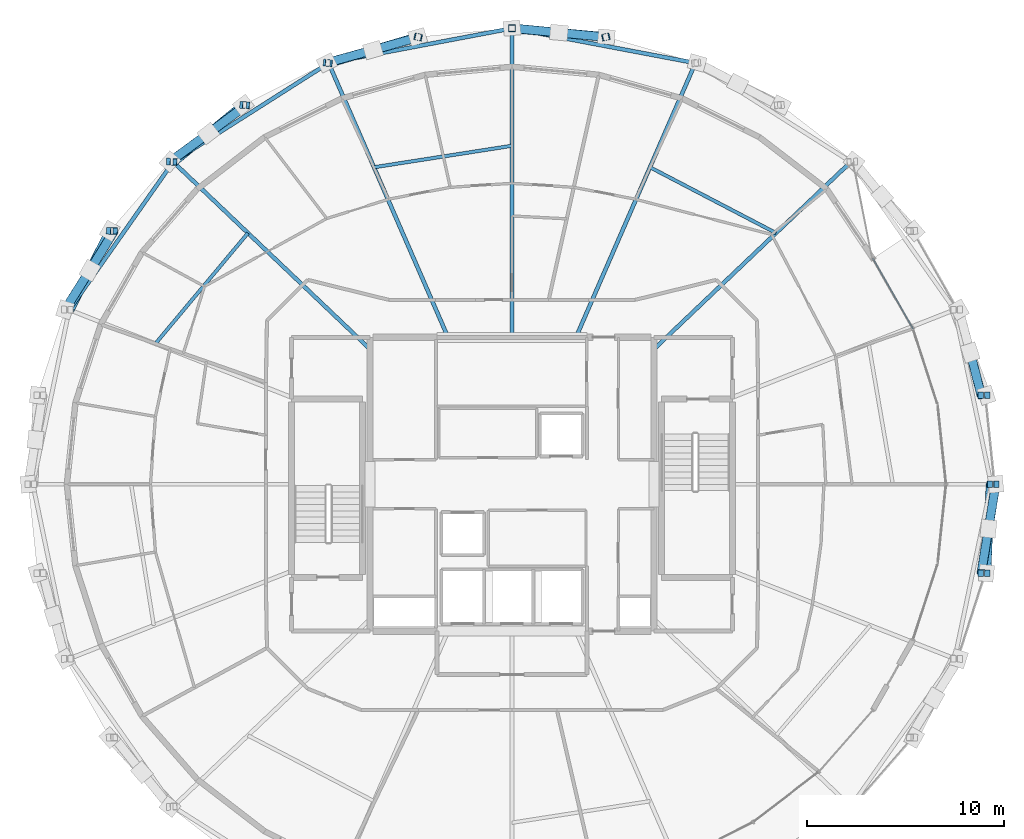
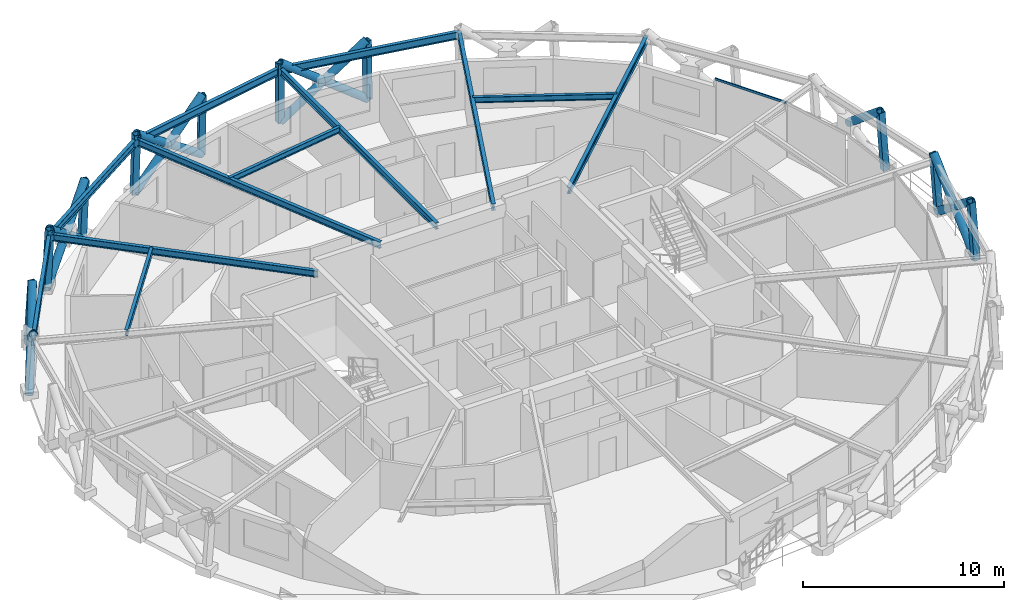
# One storey, part 8 of 17: 27 members, 12 beams, 1 element without a shape of its own.
"""IFC4 building model written with IfcOpenShell, lengths in metres."""

from ifc_helpers import new_model, si_unit, direction, frame, origin, origin_2d, place, context, subcontext, project, spatial, hollow_rectangle, hollow_circle, i_section, extrude, material, layer, layer_set, material_profile, profile_set, type_object, element, aggregate, save


model = new_model("IFC4")

# Units and contexts
model_context = context("Model", 3, precision=1e-05, world=origin(), true_north=direction((0.0, 1.0)))
body_context = subcontext(model_context, "Body", "Model", "MODEL_VIEW")
ifc_project = project(units=[si_unit("LENGTHUNIT", "METRE"), si_unit("AREAUNIT", "SQUARE_METRE"), si_unit("VOLUMEUNIT", "CUBIC_METRE"), si_unit("PLANEANGLEUNIT", "RADIAN"), si_unit("MASSUNIT", "GRAM", prefix="KILO")], contexts=[model_context])

# Site, building, storey
site_placement = place(None, origin())
site = spatial("IfcSite", under=ifc_project, at=site_placement, CompositionType="ELEMENT")
building_placement = place(site_placement, origin())
building = spatial("IfcBuilding", under=site, at=building_placement, Name="Veldorina Hangang Commons", CompositionType="ELEMENT")
storey_placement = place(building_placement, frame((0.0, 0.0, 229.199951171875)))
storey = spatial("IfcBuildingStorey", under=building, at=storey_placement, Name="L59", CompositionType="ELEMENT", Elevation=229.199951171875)

# Beams
ifc_material_1 = material(Name="Steel SM355-TMC", Category="steel")
ifc_material_profile_1 = material_profile(ifc_material_1, i_section(OverallWidth=0.199951171875, OverallDepth=0.39990234375, WebThickness=0.008056640625, FlangeThickness=0.012939453125, FilletRadius=0.012939453125, at=origin_2d()), Name="H-400x200x8x13")
ifc_profile_set_1 = profile_set([ifc_material_profile_1], Name="Steel SM355-TMC")
beam_type_1 = type_object("IfcBeamType", Name="BM-FG400", PredefinedType="BEAM", material=ifc_profile_set_1)
beam_1_placement = place(storey_placement, frame((39.199951171875, 30.85009765625, 3.16015625), z_axis=(0.724490081705, 0.689285225078, 0.0), x_axis=(-0.689285225078, 0.724490081705, 0.0)))
element("IfcBeam", 1, at=beam_1_placement, inside=storey, type_object=beam_type_1, Name="L59 radial floor girder 03", PredefinedType="BEAM", context=body_context, shape_type="SweptSolid", body=[
    extrude(i_section(OverallWidth=0.199951171875, OverallDepth=0.39990234375, WebThickness=0.008056640625, FlangeThickness=0.012939453125, FilletRadius=0.012939453125, at=origin_2d()), origin(), (0.0, 0.0, 1.0), 13.779541015625),
])
beam_2_placement = place(storey_placement, frame((35.243408203125, 31.449951171875, 3.16015625), z_axis=(0.399189748652, 0.916868335461, 0.0), x_axis=(-0.916868335461, 0.399189748652, 0.0)))
element("IfcBeam", 2, at=beam_2_placement, inside=storey, type_object=beam_type_1, Name="L59 radial floor girder 04", PredefinedType="BEAM", context=body_context, shape_type="SweptSolid", body=[
    extrude(i_section(OverallWidth=0.199951171875, OverallDepth=0.39990234375, WebThickness=0.008056640625, FlangeThickness=0.012939453125, FilletRadius=0.012939453125, at=origin_2d()), origin(), (0.0, 0.0, 1.0), 15.171142578125),
])
beam_3_placement = place(storey_placement, frame((32.0, 31.449951171875, 3.16015625), z_axis=(0.0, 1.0, 0.0), x_axis=(-1.0, 0.0, 0.0)))
element("IfcBeam", 3, at=beam_3_placement, inside=storey, type_object=beam_type_1, Name="L59 radial floor girder 05", PredefinedType="BEAM", context=body_context, shape_type="SweptSolid", body=[
    extrude(i_section(OverallWidth=0.199951171875, OverallDepth=0.39990234375, WebThickness=0.008056640625, FlangeThickness=0.012939453125, FilletRadius=0.012939453125, at=origin_2d()), origin(), (0.0, 0.0, 1.0), 15.669921875),
])
beam_4_placement = place(storey_placement, frame((28.756591796875, 31.449951171875, 3.16015625), z_axis=(-0.399189748652, 0.916868335461, 0.0), x_axis=(-0.916868335461, -0.399189748652, 0.0)))
element("IfcBeam", 4, at=beam_4_placement, inside=storey, type_object=beam_type_1, Name="L59 radial floor girder 06", PredefinedType="BEAM", context=body_context, shape_type="SweptSolid", body=[
    extrude(i_section(OverallWidth=0.199951171875, OverallDepth=0.39990234375, WebThickness=0.008056640625, FlangeThickness=0.012939453125, FilletRadius=0.012939453125, at=origin_2d()), origin(), (0.0, 0.0, 1.0), 15.171142578125),
])
beam_5_placement = place(storey_placement, frame((24.800048828125, 30.85009765625, 3.16015625), z_axis=(-0.724490081705, 0.689285225078, 0.0), x_axis=(-0.689285225078, -0.724490081705, 0.0)))
element("IfcBeam", 5, at=beam_5_placement, inside=storey, type_object=beam_type_1, Name="L59 radial floor girder 07", PredefinedType="BEAM", context=body_context, shape_type="SweptSolid", body=[
    extrude(i_section(OverallWidth=0.199951171875, OverallDepth=0.39990234375, WebThickness=0.008056640625, FlangeThickness=0.012939453125, FilletRadius=0.012939453125, at=origin_2d()), origin(), (0.0, 0.0, 1.0), 13.779541015625),
])
ifc_material_profile_2 = material_profile(ifc_material_1, i_section(OverallWidth=0.175048828125, OverallDepth=0.35009765625, WebThickness=0.007080078125, FlangeThickness=0.010986328125, FilletRadius=0.012939453125, at=origin_2d()), Name="H-350x175x7x11")
ifc_profile_set_2 = profile_set([ifc_material_profile_2], Name="Steel SM355-TMC")
beam_type_2 = type_object("IfcBeamType", Name="BM-JST350", PredefinedType="JOIST", material=ifc_profile_set_2)
beam_6_placement = place(storey_placement, frame((45.389404296875, 36.739013671875, 3.18505859375), z_axis=(-0.886544384719, 0.462643549532, 0.0), x_axis=(-0.462643549532, -0.886544384719, 0.0)))
element("IfcBeam", 6, at=beam_6_placement, inside=storey, type_object=beam_type_2, Name="L59 secondary floor joist 03", PredefinedType="JOIST", context=body_context, shape_type="SweptSolid", body=[
    extrude(i_section(OverallWidth=0.175048828125, OverallDepth=0.35009765625, WebThickness=0.007080078125, FlangeThickness=0.010986328125, FilletRadius=0.012939453125, at=origin_2d()), origin(), (0.0, 0.0, 1.0), 7.208984375),
])
beam_7_placement = place(storey_placement, frame((32.0, 41.165283203125, 3.18505859375), z_axis=(-0.988064059438, -0.15404354724, 0.0), x_axis=(0.15404354724, -0.988064059438, 0.0)))
element("IfcBeam", 7, at=beam_7_placement, inside=storey, type_object=beam_type_2, Name="L59 secondary floor joist 05", PredefinedType="JOIST", context=body_context, shape_type="SweptSolid", body=[
    extrude(i_section(OverallWidth=0.175048828125, OverallDepth=0.35009765625, WebThickness=0.007080078125, FlangeThickness=0.010986328125, FilletRadius=0.012939453125, at=origin_2d()), origin(), (0.0, 0.0, 1.0), 7.082763671875),
])
beam_8_placement = place(storey_placement, frame((18.610595703125, 36.739013671875, 3.18505859375), z_axis=(-0.641738652871, -0.766923399963, 0.0), x_axis=(0.766923399963, -0.641738652871, 0.0)))
element("IfcBeam", 8, at=beam_8_placement, inside=storey, type_object=beam_type_2, Name="L59 secondary floor joist 07", PredefinedType="JOIST", context=body_context, shape_type="SweptSolid", body=[
    extrude(i_section(OverallWidth=0.175048828125, OverallDepth=0.35009765625, WebThickness=0.007080078125, FlangeThickness=0.010986328125, FilletRadius=0.012939453125, at=origin_2d()), origin(), (0.0, 0.0, 1.0), 7.3173828125),
])
ifc_material_profile_3 = material_profile(ifc_material_1, i_section(OverallWidth=0.199951171875, OverallDepth=0.449951171875, WebThickness=0.009033203125, FlangeThickness=0.013916015625, FilletRadius=0.01611328125, at=origin_2d()), Name="H-450x200x9x14")
ifc_profile_set_3 = profile_set([ifc_material_profile_3], Name="Steel SM355-TMC")
beam_type_3 = type_object("IfcBeamType", Name="BM-RB450", PredefinedType="BEAM", material=ifc_profile_set_3)
for number, where, z_axis, x_axis, name in (
    (9, (41.299560546875, 45.35986328125, 3.135009765625), (-0.982558019135, 0.185956282585, 0.0), (-0.185956282585, -0.982558019135, 0.0), "L59 perimeter hoop ring beam 06"),
    (10, (32.0, 47.119873046875, 3.135009765625), (-0.982558019135, -0.185956282585, 0.0), (0.185956282585, -0.982558019135, 0.0), "L59 perimeter hoop ring beam 08"),
):
    element("IfcBeam", number, at=place(storey_placement, frame(where, z_axis=z_axis, x_axis=x_axis)), inside=storey, type_object=beam_type_3, Name=name, PredefinedType="BEAM", context=body_context, shape_type="SweptSolid", body=[
        extrude(i_section(OverallWidth=0.199951171875, OverallDepth=0.449951171875, WebThickness=0.009033203125, FlangeThickness=0.013916015625, FilletRadius=0.01611328125, at=origin_2d()), origin(), (0.0, 0.0, 1.0), 9.464599609375),
    ])
beam_9_placement = place(storey_placement, frame((22.700439453125, 45.35986328125, 3.135009765625), z_axis=(-0.843907831435, -0.536488184439, 0.0), x_axis=(0.536488184439, -0.843907831435, 0.0)))
element("IfcBeam", 11, at=beam_9_placement, inside=storey, type_object=beam_type_3, Name="L59 perimeter hoop ring beam 10", PredefinedType="BEAM", context=body_context, shape_type="SweptSolid", body=[
    extrude(i_section(OverallWidth=0.199951171875, OverallDepth=0.449951171875, WebThickness=0.009033203125, FlangeThickness=0.013916015625, FilletRadius=0.01611328125, at=origin_2d()), origin(), (0.0, 0.0, 1.0), 9.341796875),
])
beam_10_placement = place(storey_placement, frame((14.81689453125, 40.34814453125, 3.135009765625), z_axis=(-0.574723801325, -0.818347451998, 0.0), x_axis=(0.818347451998, -0.574723801325, 0.0)))
element("IfcBeam", 12, at=beam_10_placement, inside=storey, type_object=beam_type_3, Name="L59 perimeter hoop ring beam 12", PredefinedType="BEAM", context=body_context, shape_type="SweptSolid", body=[
    extrude(i_section(OverallWidth=0.199951171875, OverallDepth=0.449951171875, WebThickness=0.009033203125, FlangeThickness=0.013916015625, FilletRadius=0.01611328125, at=origin_2d()), origin(), (0.0, 0.0, 1.0), 9.16552734375),
])

# Curtain wall, member
ifc_material_2 = material(Name="Glass Low-E Selective", Category="glass")
ifc_layer = layer(ifc_material_2, 0.179931640625)
ifc_layer_set = layer_set([ifc_layer], Name="Glass Low-E Selective")
curtain_wall_type = type_object("IfcCurtainWallType", Name="CW-SYS-Z3", PredefinedType="NOTDEFINED", material=ifc_layer_set)
curtain_wall_placement = place(storey_placement, origin())
curtain_wall = element("IfcCurtainWall", 13, at=curtain_wall_placement, inside=storey, type_object=curtain_wall_type, Name="L59 unitised curtain wall CW-L59-R2", PredefinedType="NOTDEFINED")
ifc_material_3 = material(Name="Aluminium Anodized AA6063-T6", Category="aluminium")
ifc_material_profile_4 = material_profile(ifc_material_3, hollow_rectangle(XDim=0.06005859375, YDim=0.139892578125, WallThickness=0.00341796875, at=origin_2d()), Name="ALU-RHS-140x60x3.5")
ifc_profile_set_4 = profile_set([ifc_material_profile_4], Name="Aluminium Anodized AA6063-T6")
member_type_1 = type_object("IfcMemberType", Name="CW-TRN-140", PredefinedType="USERDEFINED", material=ifc_profile_set_4)
member_1_placement = place(storey_placement, frame((52.33837890625, 31.88720703125, 3.280029296875), z_axis=(-0.495824921759, 0.868422504869, 0.0), x_axis=(-0.868422504869, -0.495824921759, 0.0)))
member_1 = element("IfcMember", 14, at=member_1_placement, type_object=member_type_1, Name="CW-L59-R2 facet 5 transom 1", ObjectType="TRANSOM", PredefinedType="USERDEFINED", context=body_context, shape_type="SweptSolid", body=[
    extrude(hollow_rectangle(XDim=0.06005859375, YDim=0.139892578125, WallThickness=0.00341796875, at=origin_2d()), origin(), (0.0, 0.0, 1.0), 4.10302734375),
])
aggregate(curtain_wall, [member_1])

# Members
ifc_material_profile_5 = material_profile(ifc_material_1, hollow_circle(Radius=0.22509765625, WallThickness=0.02197265625, at=origin_2d()), Name="CHS-450x22")
ifc_profile_set_5 = profile_set([ifc_material_profile_5], Name="Steel SM355-TMC")
member_type_2 = type_object("IfcMemberType", Name="DG-CHS450", PredefinedType="BRACE", material=ifc_profile_set_5)
member_2_placement = place(storey_placement, frame((55.239990234375, 30.681396484375, 1.80126953125), z_axis=(0.194654385419, -0.75534734028, 0.625747605485), x_axis=(0.968362245784, 0.249548714564, 0.0)))
element("IfcMember", 15, at=member_2_placement, inside=storey, type_object=member_type_2, Name="L59 split perimeter diagrid upper brace 02", PredefinedType="BRACE", context=body_context, shape_type="SweptSolid", body=[
    extrude(hollow_circle(Radius=0.22509765625, WallThickness=0.02197265625, at=origin_2d()), origin(), (0.0, 0.0, 1.0), 2.874755859375),
])
member_3_placement = place(storey_placement, frame((36.786376953125, 46.685791015625, 0.0), z_axis=(-0.797098109266, 0.072005139072, 0.599541378181), x_axis=(-0.089967764574, -0.99594467785, 0.0)))
element("IfcMember", 16, at=member_3_placement, inside=storey, type_object=member_type_2, Name="L59 continuous perimeter diagrid brace 07", PredefinedType="BRACE", context=body_context, shape_type="SweptSolid", body=[
    extrude(hollow_circle(Radius=0.22509765625, WallThickness=0.02197265625, at=origin_2d()), origin(), (0.0, 0.0, 1.0), 6.004638671875),
])
member_4_placement = place(storey_placement, frame((32.0, 47.13037109375, 0.0), z_axis=(0.793729171858, -0.075717317656, 0.603540296541), x_axis=(0.094963290672, 0.995480775015, 0.0)))
element("IfcMember", 17, at=member_4_placement, inside=storey, type_object=member_type_2, Name="L59 split perimeter diagrid lower brace 08", PredefinedType="BRACE", context=body_context, shape_type="SweptSolid", body=[
    extrude(hollow_circle(Radius=0.22509765625, WallThickness=0.02197265625, at=origin_2d()), origin(), (0.0, 0.0, 1.0), 2.998779296875),
])
member_5_placement = place(storey_placement, frame((34.380126953125, 46.9033203125, 1.809814453125), z_axis=(0.793549035747, -0.077288926934, 0.603577956554), x_axis=(0.096937840562, 0.995290437544, 0.0)))
element("IfcMember", 18, at=member_5_placement, inside=storey, type_object=member_type_2, Name="L59 split perimeter diagrid upper brace 08", PredefinedType="BRACE", context=body_context, shape_type="SweptSolid", body=[
    extrude(hollow_circle(Radius=0.22509765625, WallThickness=0.02197265625, at=origin_2d()), origin(), (0.0, 0.0, 1.0), 2.966064453125),
])
member_6_placement = place(storey_placement, frame((27.213623046875, 46.685791015625, 0.0), z_axis=(-0.76091855266, -0.224464986751, 0.608784383784), x_axis=(0.282938205618, -0.959138140104, 0.0)))
element("IfcMember", 19, at=member_6_placement, inside=storey, type_object=member_type_2, Name="L59 continuous perimeter diagrid brace 09", PredefinedType="BRACE", context=body_context, shape_type="SweptSolid", body=[
    extrude(hollow_circle(Radius=0.22509765625, WallThickness=0.02197265625, at=origin_2d()), origin(), (0.0, 0.0, 1.0), 5.91357421875),
])
member_7_placement = place(storey_placement, frame((22.611083984375, 45.36962890625, 0.0), z_axis=(0.772881335621, 0.214295252494, 0.597270446119), x_axis=(-0.267187767502, 0.963644486778, 0.0)))
element("IfcMember", 20, at=member_7_placement, inside=storey, type_object=member_type_2, Name="L59 split perimeter diagrid lower brace 10", PredefinedType="BRACE", context=body_context, shape_type="SweptSolid", body=[
    extrude(hollow_circle(Radius=0.22509765625, WallThickness=0.02197265625, at=origin_2d()), origin(), (0.0, 0.0, 1.0), 3.029296875),
])
member_8_placement = place(storey_placement, frame((24.952392578125, 46.018798828125, 1.809326171875), z_axis=(0.771688403406, 0.218551406008, 0.597270701592), x_axis=(-0.272494492657, 0.962157342367, 0.0)))
element("IfcMember", 21, at=member_8_placement, inside=storey, type_object=member_type_2, Name="L59 split perimeter diagrid upper brace 10", PredefinedType="BRACE", context=body_context, shape_type="SweptSolid", body=[
    extrude(hollow_circle(Radius=0.22509765625, WallThickness=0.02197265625, at=origin_2d()), origin(), (0.0, 0.0, 1.0), 2.998291015625),
])
member_9_placement = place(storey_placement, frame((18.36962890625, 43.232177734375, 0.0), z_axis=(-0.607478999023, -0.496760781238, 0.61983706889), x_axis=(0.633033584026, -0.774124332065, 0.0)))
element("IfcMember", 22, at=member_9_placement, inside=storey, type_object=member_type_2, Name="L59 continuous perimeter diagrid brace 11", PredefinedType="BRACE", context=body_context, shape_type="SweptSolid", body=[
    extrude(hollow_circle(Radius=0.22509765625, WallThickness=0.02197265625, at=origin_2d()), origin(), (0.0, 0.0, 1.0), 5.80810546875),
])
member_10_placement = place(storey_placement, frame((14.65185546875, 40.355712890625, 0.0), z_axis=(0.645696893612, 0.473689133937, 0.59891078298), x_axis=(-0.591508259881, 0.806298938665, 0.0)))
element("IfcMember", 23, at=member_10_placement, inside=storey, type_object=member_type_2, Name="L59 split perimeter diagrid lower brace 12", PredefinedType="BRACE", context=body_context, shape_type="SweptSolid", body=[
    extrude(hollow_circle(Radius=0.22509765625, WallThickness=0.02197265625, at=origin_2d()), origin(), (0.0, 0.0, 1.0), 3.01611328125),
])
member_11_placement = place(storey_placement, frame((16.599365234375, 41.784423828125, 1.806396484375), z_axis=(0.640878723103, 0.480108739391, 0.598974173596), x_axis=(-0.599560089391, 0.800329744049, 0.0)))
element("IfcMember", 24, at=member_11_placement, inside=storey, type_object=member_type_2, Name="L59 split perimeter diagrid upper brace 12", PredefinedType="BRACE", context=body_context, shape_type="SweptSolid", body=[
    extrude(hollow_circle(Radius=0.22509765625, WallThickness=0.02197265625, at=origin_2d()), origin(), (0.0, 0.0, 1.0), 2.99462890625),
])
member_12_placement = place(storey_placement, frame((11.6005859375, 36.8505859375, 0.0), z_axis=(-0.351153635843, -0.696236062652, 0.626056282692), x_axis=(0.892864605346, -0.450325211953, 0.0)))
element("IfcMember", 25, at=member_12_placement, inside=storey, type_object=member_type_2, Name="L59 continuous perimeter diagrid brace 13", PredefinedType="BRACE", context=body_context, shape_type="SweptSolid", body=[
    extrude(hollow_circle(Radius=0.22509765625, WallThickness=0.02197265625, at=origin_2d()), origin(), (0.0, 0.0, 1.0), 5.75048828125),
])
member_13_placement = place(storey_placement, frame((9.33349609375, 32.8515625, 0.0), z_axis=(0.423262800068, 0.672086032457, 0.607576305541), x_axis=(-0.846177475424, 0.532901191672, 0.0)))
element("IfcMember", 26, at=member_13_placement, inside=storey, type_object=member_type_2, Name="L59 split perimeter diagrid lower brace 14", PredefinedType="BRACE", context=body_context, shape_type="SweptSolid", body=[
    extrude(hollow_circle(Radius=0.22509765625, WallThickness=0.02197265625, at=origin_2d()), origin(), (0.0, 0.0, 1.0), 2.967041015625),
])
member_14_placement = place(storey_placement, frame((10.58935546875, 34.845703125, 1.802734375), z_axis=(0.417312902205, 0.675625873719, 0.607766090215), x_axis=(-0.850789795208, 0.525506160163, 0.0)))
element("IfcMember", 27, at=member_14_placement, inside=storey, type_object=member_type_2, Name="L59 split perimeter diagrid upper brace 14", PredefinedType="BRACE", context=body_context, shape_type="SweptSolid", body=[
    extrude(hollow_circle(Radius=0.22509765625, WallThickness=0.02197265625, at=origin_2d()), origin(), (0.0, 0.0, 1.0), 2.957275390625),
])
member_15_placement = place(storey_placement, frame((56.0625, 19.487548828125, 0.0), z_axis=(0.03520822976, 0.781216939563, 0.62326597364), x_axis=(-0.998985962297, 0.045022740172, 0.0)))
element("IfcMember", 28, at=member_15_placement, inside=storey, type_object=member_type_2, Name="L59 continuous perimeter diagrid brace 31", PredefinedType="BRACE", context=body_context, shape_type="SweptSolid", body=[
    extrude(hollow_circle(Radius=0.22509765625, WallThickness=0.02197265625, at=origin_2d()), origin(), (0.0, 0.0, 1.0), 5.776123046875),
])
member_16_placement = place(storey_placement, frame((56.533935546875, 24.0, 0.0), z_axis=(-0.12703329836, -0.77520518068, 0.61880487147), x_axis=(0.986837726631, -0.161713639801, 0.0)))
element("IfcMember", 29, at=member_16_placement, inside=storey, type_object=member_type_2, Name="L59 split perimeter diagrid lower brace 00", PredefinedType="BRACE", context=body_context, shape_type="SweptSolid", body=[
    extrude(hollow_circle(Radius=0.22509765625, WallThickness=0.02197265625, at=origin_2d()), origin(), (0.0, 0.0, 1.0), 2.90966796875),
])
member_17_placement = place(storey_placement, frame((56.164306640625, 21.744384765625, 1.800537109375), z_axis=(-0.125448618521, -0.77536314821, 0.618930232343), x_axis=(0.987162937396, -0.15971642067, 0.0)))
element("IfcMember", 30, at=member_17_placement, inside=storey, type_object=member_type_2, Name="L59 split perimeter diagrid upper brace 00", PredefinedType="BRACE", context=body_context, shape_type="SweptSolid", body=[
    extrude(hollow_circle(Radius=0.22509765625, WallThickness=0.02197265625, at=origin_2d()), origin(), (0.0, 0.0, 1.0), 2.907470703125),
])
ifc_material_profile_6 = material_profile(ifc_material_1, hollow_rectangle(XDim=0.35009765625, YDim=0.35009765625, WallThickness=0.01611328125, at=origin_2d()), Name="SHS-350x350x16")
ifc_profile_set_6 = profile_set([ifc_material_profile_6], Name="Steel SM355-TMC")
member_type_3 = type_object("IfcMemberType", Name="STR-SHS350", PredefinedType="STRUT", material=ifc_profile_set_6)
member_18_placement = place(storey_placement, frame((56.533935546875, 24.0, 0.0), z_axis=(-0.074255303945, 0.0, 0.997239264087), x_axis=(0.0, -1.0, 0.0)))
element("IfcMember", 31, at=member_18_placement, inside=storey, type_object=member_type_3, Name="L59 perimeter ring node post 00", PredefinedType="STRUT", context=body_context, shape_type="SweptSolid", body=[
    extrude(hollow_rectangle(XDim=0.35009765625, YDim=0.35009765625, WallThickness=0.01611328125, at=origin_2d()), origin(), (0.0, 0.0, 1.0), 3.610107421875),
])
member_19_placement = place(storey_placement, frame((56.0625, 28.512451171875, 0.0), z_axis=(-0.072842712527, -0.000676348306, 0.99734321163), x_axis=(0.009284650851, -0.9999568967, 0.0)))
element("IfcMember", 32, at=member_19_placement, inside=storey, type_object=member_type_3, Name="L59 perimeter ring node post 01", PredefinedType="STRUT", context=body_context, shape_type="SweptSolid", body=[
    extrude(hollow_rectangle(XDim=0.35009765625, YDim=0.35009765625, WallThickness=0.01611328125, at=origin_2d()), origin(), (0.0, 0.0, 1.0), 3.609619140625),
])
member_20_placement = place(storey_placement, frame((36.786376953125, 46.685791015625, 0.0), z_axis=(-0.01457859842, -0.003254756856, 0.999888429289), x_axis=(0.217891639283, -0.975972967623, 0.0)))
element("IfcMember", 33, at=member_20_placement, inside=storey, type_object=member_type_3, Name="L59 perimeter ring node post 07", PredefinedType="STRUT", context=body_context, shape_type="SweptSolid", body=[
    extrude(hollow_rectangle(XDim=0.35009765625, YDim=0.35009765625, WallThickness=0.01611328125, at=origin_2d()), origin(), (0.0, 0.0, 1.0), 3.6005859375),
])
member_21_placement = place(storey_placement, frame((32.0, 47.13037109375, 0.0), z_axis=(0.0, -0.003390730542, 0.999994251457), x_axis=(1.0, 0.0, 0.0)))
element("IfcMember", 34, at=member_21_placement, inside=storey, type_object=member_type_3, Name="L59 perimeter ring node post 08", PredefinedType="STRUT", context=body_context, shape_type="SweptSolid", body=[
    extrude(hollow_rectangle(XDim=0.35009765625, YDim=0.35009765625, WallThickness=0.01611328125, at=origin_2d()), origin(), (0.0, 0.0, 1.0), 3.60009765625),
])
member_22_placement = place(storey_placement, frame((27.213623046875, 46.685791015625, 0.0), z_axis=(0.01457859842, -0.003254756856, 0.999888429289), x_axis=(0.217891639283, 0.975972967623, 0.0)))
element("IfcMember", 35, at=member_22_placement, inside=storey, type_object=member_type_3, Name="L59 perimeter ring node post 09", PredefinedType="STRUT", context=body_context, shape_type="SweptSolid", body=[
    extrude(hollow_rectangle(XDim=0.35009765625, YDim=0.35009765625, WallThickness=0.01611328125, at=origin_2d()), origin(), (0.0, 0.0, 1.0), 3.6005859375),
])
member_23_placement = place(storey_placement, frame((22.611083984375, 45.36962890625, 0.0), z_axis=(0.028538347922, -0.003118204286, 0.99958783481), x_axis=(0.108617215763, 0.994083648613, 0.0)))
element("IfcMember", 36, at=member_23_placement, inside=storey, type_object=member_type_3, Name="L59 perimeter ring node post 10", PredefinedType="STRUT", context=body_context, shape_type="SweptSolid", body=[
    extrude(hollow_rectangle(XDim=0.35009765625, YDim=0.35009765625, WallThickness=0.01611328125, at=origin_2d()), origin(), (0.0, 0.0, 1.0), 3.6015625),
])
member_24_placement = place(storey_placement, frame((18.36962890625, 43.232177734375, 0.0), z_axis=(0.041331641703, -0.002778028377, 0.999141620569), x_axis=(0.067061806148, 0.99774882318, 0.0)))
element("IfcMember", 37, at=member_24_placement, inside=storey, type_object=member_type_3, Name="L59 perimeter ring node post 11", PredefinedType="STRUT", context=body_context, shape_type="SweptSolid", body=[
    extrude(hollow_rectangle(XDim=0.35009765625, YDim=0.35009765625, WallThickness=0.01611328125, at=origin_2d()), origin(), (0.0, 0.0, 1.0), 3.603271484375),
])
member_25_placement = place(storey_placement, frame((14.65185546875, 40.355712890625, 0.0), z_axis=(0.052551568082, -0.002437959344, 0.998615235737), x_axis=(0.046341910972, 0.998925636515, 0.0)))
element("IfcMember", 38, at=member_25_placement, inside=storey, type_object=member_type_3, Name="L59 perimeter ring node post 12", PredefinedType="STRUT", context=body_context, shape_type="SweptSolid", body=[
    extrude(hollow_rectangle(XDim=0.35009765625, YDim=0.35009765625, WallThickness=0.01611328125, at=origin_2d()), origin(), (0.0, 0.0, 1.0), 3.60498046875),
])
member_26_placement = place(storey_placement, frame((11.6005859375, 36.8505859375, 0.0), z_axis=(0.061796649646, -0.001895187503, 0.99808696132), x_axis=(0.030653715011, 0.999530064458, 0.0)))
element("IfcMember", 39, at=member_26_placement, inside=storey, type_object=member_type_3, Name="L59 perimeter ring node post 13", PredefinedType="STRUT", context=body_context, shape_type="SweptSolid", body=[
    extrude(hollow_rectangle(XDim=0.35009765625, YDim=0.35009765625, WallThickness=0.01611328125, at=origin_2d()), origin(), (0.0, 0.0, 1.0), 3.60693359375),
])
member_27_placement = place(storey_placement, frame((56.0625, 19.487548828125, 0.0), z_axis=(-0.072842712527, 0.000676348306, 0.99734321163), x_axis=(-0.009284650851, -0.9999568967, 0.0)))
element("IfcMember", 40, at=member_27_placement, inside=storey, type_object=member_type_3, Name="L59 perimeter ring node post 31", PredefinedType="STRUT", context=body_context, shape_type="SweptSolid", body=[
    extrude(hollow_rectangle(XDim=0.35009765625, YDim=0.35009765625, WallThickness=0.01611328125, at=origin_2d()), origin(), (0.0, 0.0, 1.0), 3.609619140625),
])

save(model, "model.ifc")
